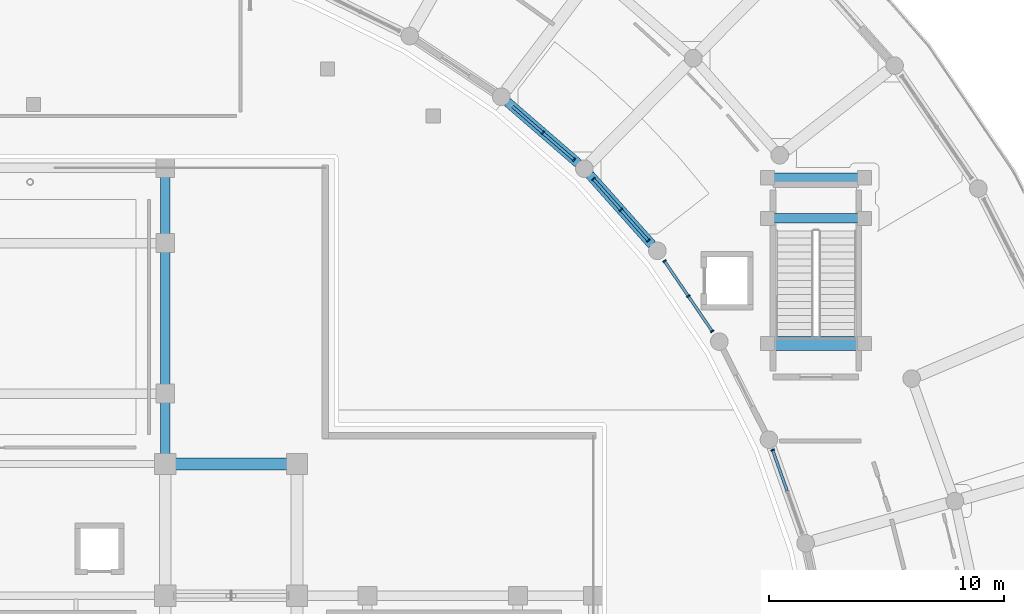
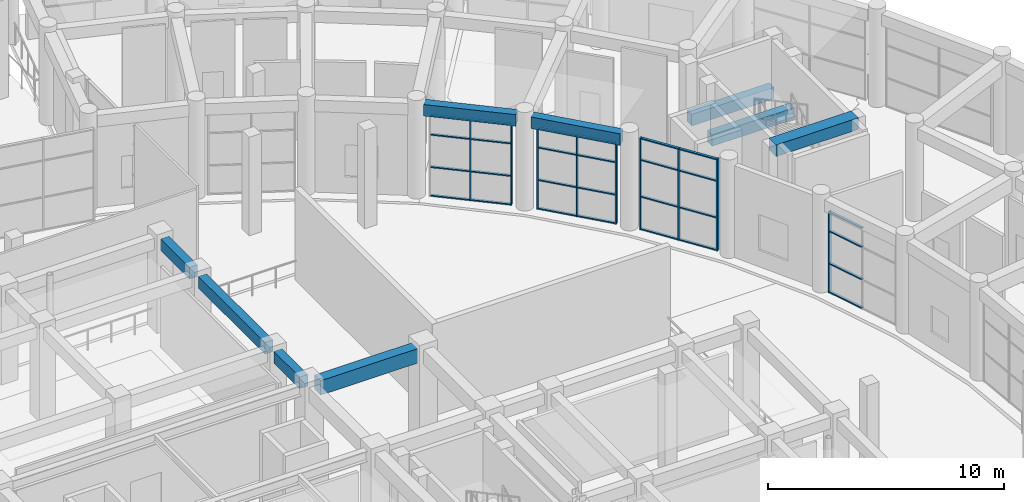
# One storey, part 46 of 99: 37 members, 9 beams, 4 elements without a shape of their own.
"""IFC4 building model written with IfcOpenShell, lengths in metres."""

from ifc_helpers import new_model, si_unit, direction, frame, origin, origin_2d, place, context, subcontext, project, spatial, rectangle, extrude, material, material_profile, profile_set, type_object, element, aggregate, save


model = new_model("IFC4")

# Units and contexts
model_context = context("Model", 3, precision=1e-05, world=origin(), true_north=direction((0.0, 1.0)))
body_context = subcontext(model_context, "Body", "Model", "MODEL_VIEW")
ifc_project = project(units=[si_unit("LENGTHUNIT", "METRE"), si_unit("AREAUNIT", "SQUARE_METRE"), si_unit("VOLUMEUNIT", "CUBIC_METRE"), si_unit("PLANEANGLEUNIT", "RADIAN"), si_unit("MASSUNIT", "GRAM", prefix="KILO")], contexts=[model_context])

# Site, building, storey
site_placement = place(None, origin())
site = spatial("IfcSite", under=ifc_project, at=site_placement, CompositionType="ELEMENT")
building_placement = place(site_placement, origin())
building = spatial("IfcBuilding", under=site, at=building_placement, Name="Saryqyr Civic Hall", CompositionType="ELEMENT")
storey_placement = place(building_placement, origin())
storey = spatial("IfcBuildingStorey", under=building, at=storey_placement, Name="L00", CompositionType="ELEMENT", Elevation=0.0)

# Curtain wall, member
ifc_material_1 = material(Name="Anodised aluminium and triple low-E glass", Category="aluminium")
curtain_wall_type_1 = type_object("IfcCurtainWallType", Name="ENV-CW-STD-07", PredefinedType="NOTDEFINED", material=ifc_material_1)
curtain_wall_1_placement = place(storey_placement, origin())
curtain_wall_1 = element("IfcCurtainWall", 1, at=curtain_wall_1_placement, inside=storey, type_object=curtain_wall_type_1, Name="Curtain wall V6-CWI-L00-02", PredefinedType="NOTDEFINED")
ifc_material_2 = material(Name="Anodised aluminium", Category="aluminium")
ifc_material_profile_1 = material_profile(ifc_material_2, rectangle(XDim=0.06005859375, YDim=0.159912109375, at=origin_2d()), Name="ALU MULLION 60x160")
ifc_profile_set_1 = profile_set([ifc_material_profile_1], Name="Anodised aluminium")
member_type_1 = type_object("IfcMemberType", Name="ENV-CW-MUL-180", PredefinedType="MULLION", material=ifc_profile_set_1)
member_1_placement = place(storey_placement, frame((90.43798828125, 97.797119140625, 0.0), z_axis=(0.0, 0.0, 1.0), x_axis=(-0.333172944954, 0.942865732091, 0.0)))
member_1 = element("IfcMember", 2, at=member_1_placement, type_object=member_type_1, Name="CW-07 mullion 3", PredefinedType="MULLION", context=body_context, shape_type="SweptSolid", body=[
    extrude(rectangle(XDim=0.06005859375, YDim=0.159912109375, at=origin_2d()), origin(), (0.0, 0.0, 1.0), 4.195068359375),
])

# Curtain wall, members
curtain_wall_type_2 = type_object("IfcCurtainWallType", Name="ENV-CW-STD-43", PredefinedType="NOTDEFINED", material=ifc_material_1)
curtain_wall_2_placement = place(storey_placement, origin())
curtain_wall_2 = element("IfcCurtainWall", 3, at=curtain_wall_2_placement, inside=storey, type_object=curtain_wall_type_2, Name="Curtain wall V6-CWI-L00-04", PredefinedType="NOTDEFINED")
member_2_placement = place(storey_placement, frame((87.868896484375, 102.850830078125, 0.0), z_axis=(0.0, 0.0, 1.0), x_axis=(-0.563133092967, 0.826366213979, 0.0)))
member_2 = element("IfcMember", 4, at=member_2_placement, type_object=member_type_1, Name="CW-43 mullion 1", PredefinedType="MULLION", context=body_context, shape_type="SweptSolid", body=[
    extrude(rectangle(XDim=0.06005859375, YDim=0.159912109375, at=origin_2d()), origin(), (0.0, 0.0, 1.0), 4.75),
])
member_3_placement = place(storey_placement, frame((86.85205078125, 104.3427734375, 0.0), z_axis=(0.0, 0.0, 1.0), x_axis=(-0.563133092967, 0.826366213979, 0.0)))
member_3 = element("IfcMember", 5, at=member_3_placement, type_object=member_type_1, Name="CW-43 mullion 2", PredefinedType="MULLION", context=body_context, shape_type="SweptSolid", body=[
    extrude(rectangle(XDim=0.06005859375, YDim=0.159912109375, at=origin_2d()), origin(), (0.0, 0.0, 1.0), 4.75),
])
member_4_placement = place(storey_placement, frame((85.83544921875, 105.834716796875, 0.0), z_axis=(0.0, 0.0, 1.0), x_axis=(-0.563133092967, 0.826366213979, 0.0)))
member_4 = element("IfcMember", 6, at=member_4_placement, type_object=member_type_1, Name="CW-43 mullion 3", PredefinedType="MULLION", context=body_context, shape_type="SweptSolid", body=[
    extrude(rectangle(XDim=0.06005859375, YDim=0.159912109375, at=origin_2d()), origin(), (0.0, 0.0, 1.0), 4.75),
])

curtain_wall_type_3 = type_object("IfcCurtainWallType", Name="ENV-CW-STD-11", PredefinedType="NOTDEFINED", material=ifc_material_1)
curtain_wall_3_placement = place(storey_placement, origin())
curtain_wall_3 = element("IfcCurtainWall", 7, at=curtain_wall_3_placement, inside=storey, type_object=curtain_wall_type_3, Name="Curtain wall V6-CWI-L00-05", PredefinedType="NOTDEFINED")
member_5_placement = place(storey_placement, frame((85.146240234375, 106.7119140625, 0.0), z_axis=(0.0, 0.0, 1.0), x_axis=(-0.664924429833, 0.746910638973, 0.0)))
member_5 = element("IfcMember", 8, at=member_5_placement, type_object=member_type_1, Name="CW-11 mullion 1", PredefinedType="MULLION", context=body_context, shape_type="SweptSolid", body=[
    extrude(rectangle(XDim=0.06005859375, YDim=0.159912109375, at=origin_2d()), origin(), (0.0, 0.0, 1.0), 4.195068359375),
])
member_6_placement = place(storey_placement, frame((83.981201171875, 108.0205078125, 0.0), z_axis=(0.0, 0.0, 1.0), x_axis=(-0.664924429833, 0.746910638973, 0.0)))
member_6 = element("IfcMember", 9, at=member_6_placement, type_object=member_type_1, Name="CW-11 mullion 2", PredefinedType="MULLION", context=body_context, shape_type="SweptSolid", body=[
    extrude(rectangle(XDim=0.06005859375, YDim=0.159912109375, at=origin_2d()), origin(), (0.0, 0.0, 1.0), 4.195068359375),
])
member_7_placement = place(storey_placement, frame((82.81640625, 109.3291015625, 0.0), z_axis=(0.0, 0.0, 1.0), x_axis=(-0.664924429833, 0.746910638973, 0.0)))
member_7 = element("IfcMember", 10, at=member_7_placement, type_object=member_type_1, Name="CW-11 mullion 3", PredefinedType="MULLION", context=body_context, shape_type="SweptSolid", body=[
    extrude(rectangle(XDim=0.06005859375, YDim=0.159912109375, at=origin_2d()), origin(), (0.0, 0.0, 1.0), 4.195068359375),
])

curtain_wall_4_placement = place(storey_placement, origin())
curtain_wall_4 = element("IfcCurtainWall", 11, at=curtain_wall_4_placement, inside=storey, type_object=curtain_wall_type_3, Name="Curtain wall V6-CWI-L00-06", PredefinedType="NOTDEFINED")
member_8_placement = place(storey_placement, frame((81.9892578125, 110.145751953125, 0.0), z_axis=(0.0, 0.0, 1.0), x_axis=(-0.755649416541, 0.654976304367, 0.0)))
member_8 = element("IfcMember", 12, at=member_8_placement, type_object=member_type_1, Name="CW-11 mullion 1", PredefinedType="MULLION", context=body_context, shape_type="SweptSolid", body=[
    extrude(rectangle(XDim=0.06005859375, YDim=0.159912109375, at=origin_2d()), origin(), (0.0, 0.0, 1.0), 4.195068359375),
])
member_9_placement = place(storey_placement, frame((80.660400390625, 111.297607421875, 0.0), z_axis=(0.0, 0.0, 1.0), x_axis=(-0.755649416541, 0.654976304367, 0.0)))
member_9 = element("IfcMember", 13, at=member_9_placement, type_object=member_type_1, Name="CW-11 mullion 2", PredefinedType="MULLION", context=body_context, shape_type="SweptSolid", body=[
    extrude(rectangle(XDim=0.06005859375, YDim=0.159912109375, at=origin_2d()), origin(), (0.0, 0.0, 1.0), 4.195068359375),
])

# Member
ifc_material_profile_2 = material_profile(ifc_material_2, rectangle(XDim=0.1201171875, YDim=0.06005859375, at=origin_2d()), Name="ALU TRANSOM 120x60")
ifc_profile_set_2 = profile_set([ifc_material_profile_2], Name="Anodised aluminium")
member_type_2 = type_object("IfcMemberType", Name="ENV-CW-TRN-150", PredefinedType="USERDEFINED", material=ifc_profile_set_2)
member_10_placement = place(storey_placement, frame((91.05029296875, 96.064697265625, 0.030029296875), z_axis=(-0.333236956115, 0.942843110533, 0.0), x_axis=(-0.942843110533, -0.333236956115, 0.0)))
member_10 = element("IfcMember", 14, at=member_10_placement, type_object=member_type_2, Name="CW-07 transom 2.1", ObjectType="TRANSOM", PredefinedType="USERDEFINED", context=body_context, shape_type="SweptSolid", body=[
    extrude(rectangle(XDim=0.1201171875, YDim=0.06005859375, at=origin_2d()), origin(), (0.0, 0.0, 1.0), 1.807373046875),
])

member_11_placement = place(storey_placement, frame((91.05029296875, 96.064697265625, 1.510009765625), z_axis=(-0.333236956115, 0.942843110533, 0.0), x_axis=(-0.942843110533, -0.333236956115, 0.0)))
member_11 = element("IfcMember", 15, at=member_11_placement, type_object=member_type_2, Name="CW-07 transom 2.2", ObjectType="TRANSOM", PredefinedType="USERDEFINED", context=body_context, shape_type="SweptSolid", body=[
    extrude(rectangle(XDim=0.1201171875, YDim=0.06005859375, at=origin_2d()), origin(), (0.0, 0.0, 1.0), 1.807373046875),
])

member_12_placement = place(storey_placement, frame((91.05029296875, 96.064697265625, 3.18798828125), z_axis=(-0.333236956115, 0.942843110533, 0.0), x_axis=(-0.942843110533, -0.333236956115, 0.0)))
member_12 = element("IfcMember", 16, at=member_12_placement, type_object=member_type_2, Name="CW-07 transom 2.3", ObjectType="TRANSOM", PredefinedType="USERDEFINED", context=body_context, shape_type="SweptSolid", body=[
    extrude(rectangle(XDim=0.1201171875, YDim=0.06005859375, at=origin_2d()), origin(), (0.0, 0.0, 1.0), 1.807373046875),
])

member_13_placement = place(storey_placement, frame((91.05029296875, 96.064697265625, 4.1650390625), z_axis=(-0.333236956115, 0.942843110533, 0.0), x_axis=(-0.942843110533, -0.333236956115, 0.0)))
member_13 = element("IfcMember", 17, at=member_13_placement, type_object=member_type_2, Name="CW-07 transom 2.4", ObjectType="TRANSOM", PredefinedType="USERDEFINED", context=body_context, shape_type="SweptSolid", body=[
    extrude(rectangle(XDim=0.1201171875, YDim=0.06005859375, at=origin_2d()), origin(), (0.0, 0.0, 1.0), 1.807373046875),
])

aggregate(curtain_wall_1, [member_1, member_10, member_11, member_12, member_13])

member_14_placement = place(storey_placement, frame((87.851806640625, 102.87548828125, 0.030029296875), z_axis=(-0.563128476931, 0.82636935959, 0.0), x_axis=(-0.82636935959, -0.563128476931, 0.0)))
member_14 = element("IfcMember", 18, at=member_14_placement, type_object=member_type_2, Name="CW-43 transom 1.1", ObjectType="TRANSOM", PredefinedType="USERDEFINED", context=body_context, shape_type="SweptSolid", body=[
    extrude(rectangle(XDim=0.1201171875, YDim=0.06005859375, at=origin_2d()), origin(), (0.0, 0.0, 1.0), 1.745361328125),
])

member_15_placement = place(storey_placement, frame((87.851806640625, 102.87548828125, 1.7099609375), z_axis=(-0.563128476931, 0.82636935959, 0.0), x_axis=(-0.82636935959, -0.563128476931, 0.0)))
member_15 = element("IfcMember", 19, at=member_15_placement, type_object=member_type_2, Name="CW-43 transom 1.2", ObjectType="TRANSOM", PredefinedType="USERDEFINED", context=body_context, shape_type="SweptSolid", body=[
    extrude(rectangle(XDim=0.1201171875, YDim=0.06005859375, at=origin_2d()), origin(), (0.0, 0.0, 1.0), 1.745361328125),
])

member_16_placement = place(storey_placement, frame((87.851806640625, 102.87548828125, 3.610107421875), z_axis=(-0.563128476931, 0.82636935959, 0.0), x_axis=(-0.82636935959, -0.563128476931, 0.0)))
member_16 = element("IfcMember", 20, at=member_16_placement, type_object=member_type_2, Name="CW-43 transom 1.3", ObjectType="TRANSOM", PredefinedType="USERDEFINED", context=body_context, shape_type="SweptSolid", body=[
    extrude(rectangle(XDim=0.1201171875, YDim=0.06005859375, at=origin_2d()), origin(), (0.0, 0.0, 1.0), 1.745361328125),
])

member_17_placement = place(storey_placement, frame((87.851806640625, 102.87548828125, 4.719970703125), z_axis=(-0.563128476931, 0.82636935959, 0.0), x_axis=(-0.82636935959, -0.563128476931, 0.0)))
member_17 = element("IfcMember", 21, at=member_17_placement, type_object=member_type_2, Name="CW-43 transom 1.4", ObjectType="TRANSOM", PredefinedType="USERDEFINED", context=body_context, shape_type="SweptSolid", body=[
    extrude(rectangle(XDim=0.1201171875, YDim=0.06005859375, at=origin_2d()), origin(), (0.0, 0.0, 1.0), 1.745361328125),
])

member_18_placement = place(storey_placement, frame((86.835205078125, 104.367431640625, 0.030029296875), z_axis=(-0.563128476931, 0.82636935959, 0.0), x_axis=(-0.82636935959, -0.563128476931, 0.0)))
member_18 = element("IfcMember", 22, at=member_18_placement, type_object=member_type_2, Name="CW-43 transom 2.1", ObjectType="TRANSOM", PredefinedType="USERDEFINED", context=body_context, shape_type="SweptSolid", body=[
    extrude(rectangle(XDim=0.1201171875, YDim=0.06005859375, at=origin_2d()), origin(), (0.0, 0.0, 1.0), 1.745361328125),
])

member_19_placement = place(storey_placement, frame((86.835205078125, 104.367431640625, 1.7099609375), z_axis=(-0.563128476931, 0.82636935959, 0.0), x_axis=(-0.82636935959, -0.563128476931, 0.0)))
member_19 = element("IfcMember", 23, at=member_19_placement, type_object=member_type_2, Name="CW-43 transom 2.2", ObjectType="TRANSOM", PredefinedType="USERDEFINED", context=body_context, shape_type="SweptSolid", body=[
    extrude(rectangle(XDim=0.1201171875, YDim=0.06005859375, at=origin_2d()), origin(), (0.0, 0.0, 1.0), 1.745361328125),
])

member_20_placement = place(storey_placement, frame((86.835205078125, 104.367431640625, 3.610107421875), z_axis=(-0.563128476931, 0.82636935959, 0.0), x_axis=(-0.82636935959, -0.563128476931, 0.0)))
member_20 = element("IfcMember", 24, at=member_20_placement, type_object=member_type_2, Name="CW-43 transom 2.3", ObjectType="TRANSOM", PredefinedType="USERDEFINED", context=body_context, shape_type="SweptSolid", body=[
    extrude(rectangle(XDim=0.1201171875, YDim=0.06005859375, at=origin_2d()), origin(), (0.0, 0.0, 1.0), 1.745361328125),
])

member_21_placement = place(storey_placement, frame((86.835205078125, 104.367431640625, 4.719970703125), z_axis=(-0.563128476931, 0.82636935959, 0.0), x_axis=(-0.82636935959, -0.563128476931, 0.0)))
member_21 = element("IfcMember", 25, at=member_21_placement, type_object=member_type_2, Name="CW-43 transom 2.4", ObjectType="TRANSOM", PredefinedType="USERDEFINED", context=body_context, shape_type="SweptSolid", body=[
    extrude(rectangle(XDim=0.1201171875, YDim=0.06005859375, at=origin_2d()), origin(), (0.0, 0.0, 1.0), 1.745361328125),
])

aggregate(curtain_wall_2, [member_2, member_3, member_4, member_14, member_15, member_16, member_17, member_18, member_19, member_20, member_21])

member_22_placement = place(storey_placement, frame((85.126220703125, 106.734375, 0.030029296875), z_axis=(-0.664936864874, 0.746899568704, 0.0), x_axis=(-0.746899568704, -0.664936864874, 0.0)))
member_22 = element("IfcMember", 26, at=member_22_placement, type_object=member_type_2, Name="CW-11 transom 1.1", ObjectType="TRANSOM", PredefinedType="USERDEFINED", context=body_context, shape_type="SweptSolid", body=[
    extrude(rectangle(XDim=0.1201171875, YDim=0.06005859375, at=origin_2d()), origin(), (0.0, 0.0, 1.0), 1.69189453125),
])

member_23_placement = place(storey_placement, frame((85.126220703125, 106.734375, 1.510009765625), z_axis=(-0.664936864874, 0.746899568704, 0.0), x_axis=(-0.746899568704, -0.664936864874, 0.0)))
member_23 = element("IfcMember", 27, at=member_23_placement, type_object=member_type_2, Name="CW-11 transom 1.2", ObjectType="TRANSOM", PredefinedType="USERDEFINED", context=body_context, shape_type="SweptSolid", body=[
    extrude(rectangle(XDim=0.1201171875, YDim=0.06005859375, at=origin_2d()), origin(), (0.0, 0.0, 1.0), 1.69189453125),
])

member_24_placement = place(storey_placement, frame((85.126220703125, 106.734375, 3.18798828125), z_axis=(-0.664936864874, 0.746899568704, 0.0), x_axis=(-0.746899568704, -0.664936864874, 0.0)))
member_24 = element("IfcMember", 28, at=member_24_placement, type_object=member_type_2, Name="CW-11 transom 1.3", ObjectType="TRANSOM", PredefinedType="USERDEFINED", context=body_context, shape_type="SweptSolid", body=[
    extrude(rectangle(XDim=0.1201171875, YDim=0.06005859375, at=origin_2d()), origin(), (0.0, 0.0, 1.0), 1.69189453125),
])

member_25_placement = place(storey_placement, frame((85.126220703125, 106.734375, 4.1650390625), z_axis=(-0.664936864874, 0.746899568704, 0.0), x_axis=(-0.746899568704, -0.664936864874, 0.0)))
member_25 = element("IfcMember", 29, at=member_25_placement, type_object=member_type_2, Name="CW-11 transom 1.4", ObjectType="TRANSOM", PredefinedType="USERDEFINED", context=body_context, shape_type="SweptSolid", body=[
    extrude(rectangle(XDim=0.1201171875, YDim=0.06005859375, at=origin_2d()), origin(), (0.0, 0.0, 1.0), 1.69189453125),
])

member_26_placement = place(storey_placement, frame((83.96142578125, 108.04296875, 0.030029296875), z_axis=(-0.665017352637, 0.746827905673, 0.0), x_axis=(-0.746827905673, -0.665017352637, 0.0)))
member_26 = element("IfcMember", 30, at=member_26_placement, type_object=member_type_2, Name="CW-11 transom 2.1", ObjectType="TRANSOM", PredefinedType="USERDEFINED", context=body_context, shape_type="SweptSolid", body=[
    extrude(rectangle(XDim=0.1201171875, YDim=0.06005859375, at=origin_2d()), origin(), (0.0, 0.0, 1.0), 1.692138671875),
])

member_27_placement = place(storey_placement, frame((83.96142578125, 108.04296875, 1.510009765625), z_axis=(-0.665017352637, 0.746827905673, 0.0), x_axis=(-0.746827905673, -0.665017352637, 0.0)))
member_27 = element("IfcMember", 31, at=member_27_placement, type_object=member_type_2, Name="CW-11 transom 2.2", ObjectType="TRANSOM", PredefinedType="USERDEFINED", context=body_context, shape_type="SweptSolid", body=[
    extrude(rectangle(XDim=0.1201171875, YDim=0.06005859375, at=origin_2d()), origin(), (0.0, 0.0, 1.0), 1.692138671875),
])

member_28_placement = place(storey_placement, frame((83.96142578125, 108.04296875, 3.18798828125), z_axis=(-0.665017352637, 0.746827905673, 0.0), x_axis=(-0.746827905673, -0.665017352637, 0.0)))
member_28 = element("IfcMember", 32, at=member_28_placement, type_object=member_type_2, Name="CW-11 transom 2.3", ObjectType="TRANSOM", PredefinedType="USERDEFINED", context=body_context, shape_type="SweptSolid", body=[
    extrude(rectangle(XDim=0.1201171875, YDim=0.06005859375, at=origin_2d()), origin(), (0.0, 0.0, 1.0), 1.692138671875),
])

member_29_placement = place(storey_placement, frame((83.96142578125, 108.04296875, 4.1650390625), z_axis=(-0.665017352637, 0.746827905673, 0.0), x_axis=(-0.746827905673, -0.665017352637, 0.0)))
member_29 = element("IfcMember", 33, at=member_29_placement, type_object=member_type_2, Name="CW-11 transom 2.4", ObjectType="TRANSOM", PredefinedType="USERDEFINED", context=body_context, shape_type="SweptSolid", body=[
    extrude(rectangle(XDim=0.1201171875, YDim=0.06005859375, at=origin_2d()), origin(), (0.0, 0.0, 1.0), 1.692138671875),
])

aggregate(curtain_wall_3, [member_5, member_6, member_7, member_22, member_23, member_24, member_25, member_26, member_27, member_28, member_29])

member_30_placement = place(storey_placement, frame((81.966552734375, 110.16552734375, 0.030029296875), z_axis=(-0.755693825791, 0.654925065684, 0.0), x_axis=(-0.654925065684, -0.755693825791, 0.0)))
member_30 = element("IfcMember", 34, at=member_30_placement, type_object=member_type_2, Name="CW-11 transom 1.1", ObjectType="TRANSOM", PredefinedType="USERDEFINED", context=body_context, shape_type="SweptSolid", body=[
    extrude(rectangle(XDim=0.1201171875, YDim=0.06005859375, at=origin_2d()), origin(), (0.0, 0.0, 1.0), 1.698486328125),
])

member_31_placement = place(storey_placement, frame((81.966552734375, 110.16552734375, 1.510009765625), z_axis=(-0.755693825791, 0.654925065684, 0.0), x_axis=(-0.654925065684, -0.755693825791, 0.0)))
member_31 = element("IfcMember", 35, at=member_31_placement, type_object=member_type_2, Name="CW-11 transom 1.2", ObjectType="TRANSOM", PredefinedType="USERDEFINED", context=body_context, shape_type="SweptSolid", body=[
    extrude(rectangle(XDim=0.1201171875, YDim=0.06005859375, at=origin_2d()), origin(), (0.0, 0.0, 1.0), 1.698486328125),
])

member_32_placement = place(storey_placement, frame((81.966552734375, 110.16552734375, 3.18798828125), z_axis=(-0.755693825791, 0.654925065684, 0.0), x_axis=(-0.654925065684, -0.755693825791, 0.0)))
member_32 = element("IfcMember", 36, at=member_32_placement, type_object=member_type_2, Name="CW-11 transom 1.3", ObjectType="TRANSOM", PredefinedType="USERDEFINED", context=body_context, shape_type="SweptSolid", body=[
    extrude(rectangle(XDim=0.1201171875, YDim=0.06005859375, at=origin_2d()), origin(), (0.0, 0.0, 1.0), 1.698486328125),
])

member_33_placement = place(storey_placement, frame((81.966552734375, 110.16552734375, 4.1650390625), z_axis=(-0.755693825791, 0.654925065684, 0.0), x_axis=(-0.654925065684, -0.755693825791, 0.0)))
member_33 = element("IfcMember", 37, at=member_33_placement, type_object=member_type_2, Name="CW-11 transom 1.4", ObjectType="TRANSOM", PredefinedType="USERDEFINED", context=body_context, shape_type="SweptSolid", body=[
    extrude(rectangle(XDim=0.1201171875, YDim=0.06005859375, at=origin_2d()), origin(), (0.0, 0.0, 1.0), 1.698486328125),
])

member_34_placement = place(storey_placement, frame((80.6376953125, 111.317138671875, 0.030029296875), z_axis=(-0.755622682867, 0.655007145867, 0.0), x_axis=(-0.655007145867, -0.755622682867, 0.0)))
member_34 = element("IfcMember", 38, at=member_34_placement, type_object=member_type_2, Name="CW-11 transom 2.1", ObjectType="TRANSOM", PredefinedType="USERDEFINED", context=body_context, shape_type="SweptSolid", body=[
    extrude(rectangle(XDim=0.1201171875, YDim=0.06005859375, at=origin_2d()), origin(), (0.0, 0.0, 1.0), 1.698486328125),
])

member_35_placement = place(storey_placement, frame((80.6376953125, 111.317138671875, 1.510009765625), z_axis=(-0.755622682867, 0.655007145867, 0.0), x_axis=(-0.655007145867, -0.755622682867, 0.0)))
member_35 = element("IfcMember", 39, at=member_35_placement, type_object=member_type_2, Name="CW-11 transom 2.2", ObjectType="TRANSOM", PredefinedType="USERDEFINED", context=body_context, shape_type="SweptSolid", body=[
    extrude(rectangle(XDim=0.1201171875, YDim=0.06005859375, at=origin_2d()), origin(), (0.0, 0.0, 1.0), 1.698486328125),
])

member_36_placement = place(storey_placement, frame((80.6376953125, 111.317138671875, 3.18798828125), z_axis=(-0.755622682867, 0.655007145867, 0.0), x_axis=(-0.655007145867, -0.755622682867, 0.0)))
member_36 = element("IfcMember", 40, at=member_36_placement, type_object=member_type_2, Name="CW-11 transom 2.3", ObjectType="TRANSOM", PredefinedType="USERDEFINED", context=body_context, shape_type="SweptSolid", body=[
    extrude(rectangle(XDim=0.1201171875, YDim=0.06005859375, at=origin_2d()), origin(), (0.0, 0.0, 1.0), 1.698486328125),
])

member_37_placement = place(storey_placement, frame((80.6376953125, 111.317138671875, 4.1650390625), z_axis=(-0.755622682867, 0.655007145867, 0.0), x_axis=(-0.655007145867, -0.755622682867, 0.0)))
member_37 = element("IfcMember", 41, at=member_37_placement, type_object=member_type_2, Name="CW-11 transom 2.4", ObjectType="TRANSOM", PredefinedType="USERDEFINED", context=body_context, shape_type="SweptSolid", body=[
    extrude(rectangle(XDim=0.1201171875, YDim=0.06005859375, at=origin_2d()), origin(), (0.0, 0.0, 1.0), 1.698486328125),
])

aggregate(curtain_wall_4, [member_8, member_9, member_30, member_31, member_32, member_33, member_34, member_35, member_36, member_37])

# Beams
ifc_material_3 = material(Name="Concrete C35/45", Category="concrete")
ifc_material_profile_3 = material_profile(ifc_material_3, rectangle(XDim=0.39990234375, YDim=0.60009765625, at=origin_2d()), Name="RC 400x600")
ifc_profile_set_3 = profile_set([ifc_material_profile_3], Name="Concrete C35/45")
beam_type_1 = type_object("IfcBeamType", Name="STR-BM-RC400x600", PredefinedType="BEAM", material=ifc_profile_set_3)
beam_1_placement = place(storey_placement, frame((64.60009765625, 106.97509765625, 4.52001953125), z_axis=(0.0, 1.0, 0.0), x_axis=(-1.0, 0.0, 0.0)))
element("IfcBeam", 42, at=beam_1_placement, inside=storey, type_object=beam_type_1, Name="Beam V1-TBM-12-L00", PredefinedType="BEAM", context=body_context, shape_type="SweptSolid", body=[
    extrude(rectangle(XDim=0.39990234375, YDim=0.60009765625, at=origin_2d()), origin(), (0.0, 0.0, 1.0), 2.449951171875),
])
beam_2_placement = place(storey_placement, frame((64.60009765625, 100.574951171875, 4.52001953125), z_axis=(0.0, 1.0, 0.0), x_axis=(-1.0, 0.0, 0.0)))
element("IfcBeam", 43, at=beam_2_placement, inside=storey, type_object=beam_type_1, Name="Beam V1-TBM-32-L00", PredefinedType="BEAM", context=body_context, shape_type="SweptSolid", body=[
    extrude(rectangle(XDim=0.39990234375, YDim=0.60009765625, at=origin_2d()), origin(), (0.0, 0.0, 1.0), 5.650146484375),
])
beam_3_placement = place(storey_placement, frame((64.60009765625, 97.625, 4.52001953125), z_axis=(0.0, 1.0, 0.0), x_axis=(-1.0, 0.0, 0.0)))
element("IfcBeam", 44, at=beam_3_placement, inside=storey, type_object=beam_type_1, Name="Beam V1-TBM-50-L00", PredefinedType="BEAM", context=body_context, shape_type="SweptSolid", body=[
    extrude(rectangle(XDim=0.39990234375, YDim=0.60009765625, at=origin_2d()), origin(), (0.0, 0.0, 1.0), 2.199951171875),
])
for number, where, z_axis, x_axis, name in (
    (45, (94.300048828125, 107.64990234375, 2.050048828125), (-1.0, 0.0, 0.0), (0.0, -1.0, 0.0), "Stair half-landing support beam ST-6-LND1-L00"),
    (46, (94.300048828125, 109.3798828125, 2.050048828125), (-1.0, 0.0, 0.0), (0.0, -1.0, 0.0), "Stair half-landing support beam ST-6-LND2-L00"),
):
    element("IfcBeam", number, at=place(storey_placement, frame(where, z_axis=z_axis, x_axis=x_axis)), inside=storey, type_object=beam_type_1, Name=name, PredefinedType="BEAM", context=body_context, shape_type="SweptSolid", body=[
        extrude(rectangle(XDim=0.39990234375, YDim=0.60009765625, at=origin_2d()), origin(), (0.0, 0.0, 1.0), 4.0400390625),
    ])
ifc_material_profile_4 = material_profile(ifc_material_3, rectangle(XDim=0.39990234375, YDim=0.60009765625, at=origin_2d()), Name="RC 400x600")
ifc_profile_set_4 = profile_set([ifc_material_profile_4], Name="Concrete C35/45")
beam_type_2 = type_object("IfcBeamType", Name="STR-BM-RC400x600-EXT", PredefinedType="BEAM", material=ifc_profile_set_4)
for number, where, z_axis, x_axis, name in (
    (47, (85.302978515625, 106.535888671875, 4.52001953125), (-0.664923997391, 0.746911023947, 0.0), (-0.746911023947, -0.664923997391, 0.0), "Beam V6-CBM-IN05-L00"),
    (48, (82.162353515625, 109.99560546875, 4.52001953125), (-0.755612078884, 0.655019378526, 0.0), (-0.655019378526, -0.755612078884, 0.0), "Beam V6-CBM-IN06-L00"),
):
    element("IfcBeam", number, at=place(storey_placement, frame(where, z_axis=z_axis, x_axis=x_axis)), inside=storey, type_object=beam_type_2, Name=name, PredefinedType="BEAM", context=body_context, shape_type="SweptSolid", body=[
        extrude(rectangle(XDim=0.39990234375, YDim=0.60009765625, at=origin_2d()), origin(), (0.0, 0.0, 1.0), 3.975341796875),
    ])
ifc_material_4 = material(Name="Concrete C40/50", Category="concrete")
ifc_material_profile_5 = material_profile(ifc_material_4, rectangle(XDim=0.5, YDim=0.75, at=origin_2d()), Name="RC 500x750")
ifc_profile_set_5 = profile_set([ifc_material_profile_5], Name="Concrete C40/50")
beam_type_3 = type_object("IfcBeamType", Name="STR-BM-RC500x750", PredefinedType="BEAM", material=ifc_profile_set_5)
beam_4_placement = place(storey_placement, frame((65.02490234375, 97.199951171875, 4.445068359375), z_axis=(1.0, 0.0, 0.0), x_axis=(0.0, 1.0, 0.0)))
element("IfcBeam", 49, at=beam_4_placement, inside=storey, type_object=beam_type_3, Name="Beam V1-WBM-E4-L00", PredefinedType="BEAM", context=body_context, shape_type="SweptSolid", body=[
    extrude(rectangle(XDim=0.5, YDim=0.75, at=origin_2d()), origin(), (0.0, 0.0, 1.0), 4.75),
])
ifc_material_profile_6 = material_profile(ifc_material_4, rectangle(XDim=0.60009765625, YDim=0.60009765625, at=origin_2d()), Name="RC 600x600")
ifc_profile_set_6 = profile_set([ifc_material_profile_6], Name="Concrete C40/50")
beam_type_4 = type_object("IfcBeamType", Name="STR-BM-RC600x600", PredefinedType="BEAM", material=ifc_profile_set_6)
beam_5_placement = place(storey_placement, frame((94.300048828125, 102.3349609375, 4.800048828125), z_axis=(-1.0, 0.0, 0.0), x_axis=(0.0, -1.0, 0.0)))
element("IfcBeam", 50, at=beam_5_placement, inside=storey, type_object=beam_type_4, Name="Stair well trimmer beam ST-6-L01", PredefinedType="BEAM", context=body_context, shape_type="SweptSolid", body=[
    extrude(rectangle(XDim=0.60009765625, YDim=0.60009765625, at=origin_2d()), origin(), (0.0, 0.0, 1.0), 4.0400390625),
])

save(model, "model.ifc")
